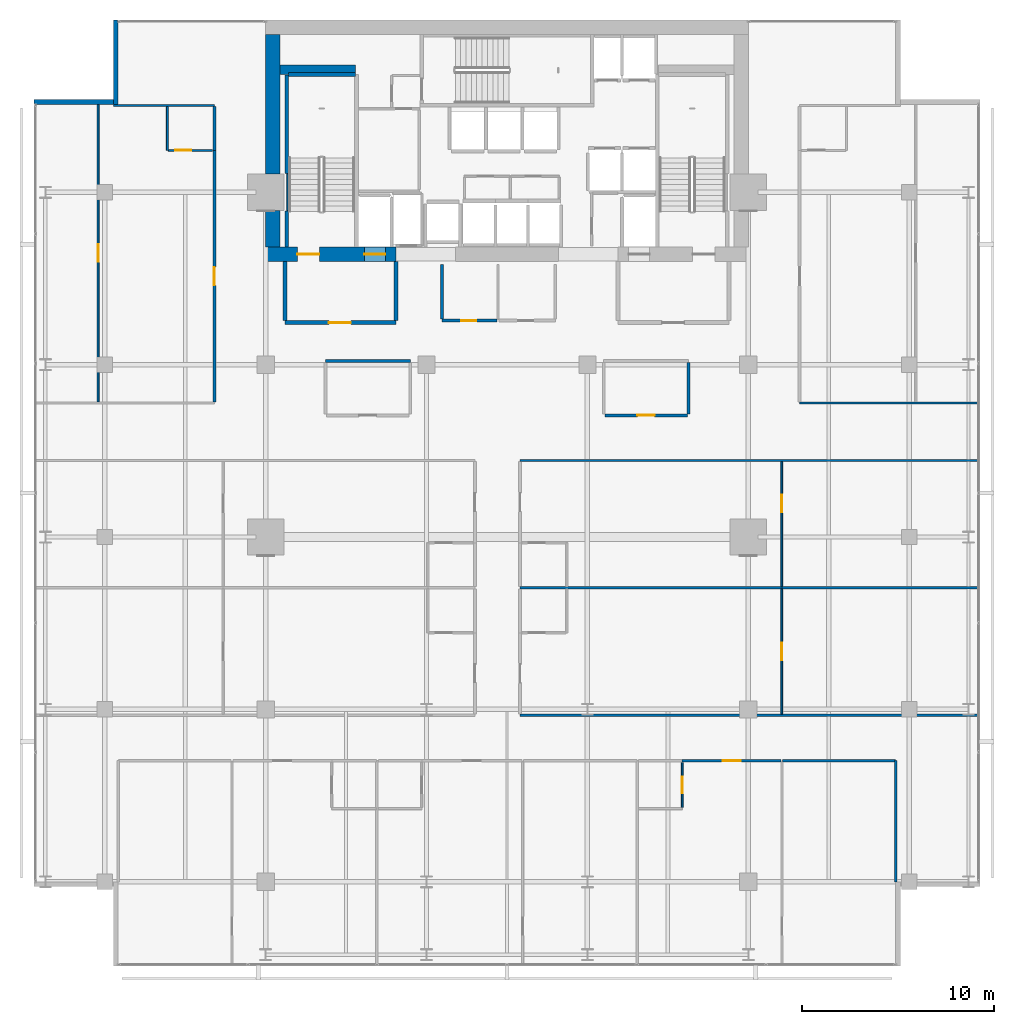
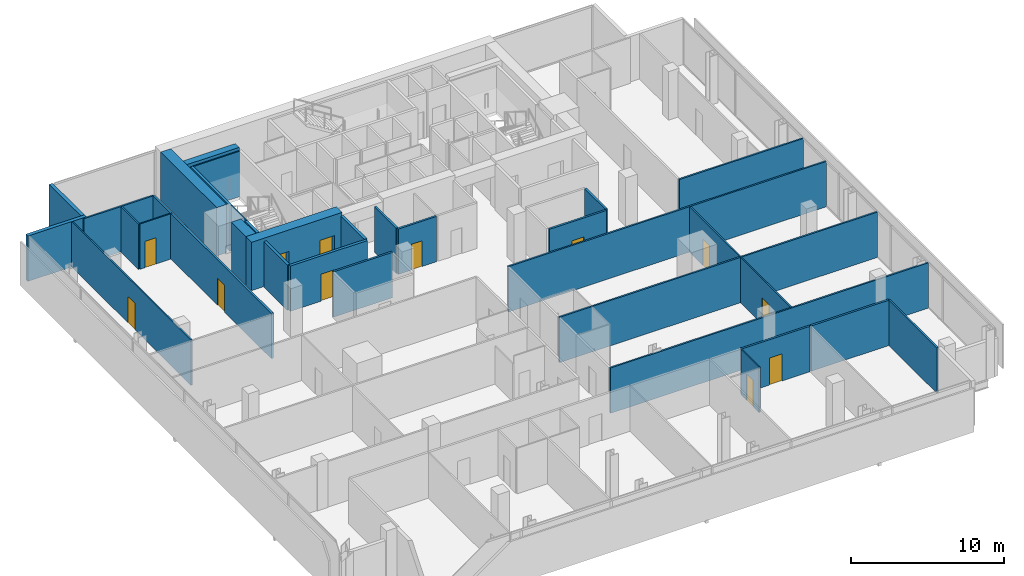
# One storey, part 28 of 33: 34 walls, 12 doors, 12 openings.
"""IFC4 building model written with IfcOpenShell, lengths in metres."""

import ifcopenshell
import ifcopenshell.guid

model = None  # the IFC model being written
_history = None  # IfcOwnerHistory: only IFC2X3 demands one
_inside = {}  # id of a spatial element -> (the spatial element, [elements in it])
_under = {}  # id of a project, library or spatial element -> (it, [spatial elements below it])
_declared = {}  # id of a project -> (the project, [libraries it declares])
_typed = {}  # id of a type object -> (the type object, [elements of that type])
_made_of = {}  # id of a material, layer set ... -> (it, [elements and type objects made of it])


def new_model(schema):
    """Start an empty IFC model of exactly this schema.

    Asked for "IFC4X3", IfcOpenShell would pick the latest addendum, in which some entities
    have other attributes; the version numbers below select the first issue.
    IFC2X3 requires an IfcOwnerHistory on every rooted entity: one is made here for all.
    """
    global model, _history
    if schema == "IFC4X3":
        model = ifcopenshell.file(schema_version=(4, 3, 0, 0))
    else:
        model = ifcopenshell.file(schema=schema)
    _inside.clear()
    _under.clear()
    _declared.clear()
    _typed.clear()
    _made_of.clear()
    _history = None
    if model.schema == "IFC2X3":
        org = make("IfcOrganization", Name="unknown")
        user = make(
            "IfcPersonAndOrganization",
            ThePerson=make("IfcPerson", FamilyName="unknown"),
            TheOrganization=org,
        )
        app = make(
            "IfcApplication",
            ApplicationDeveloper=org,
            Version="unknown",
            ApplicationFullName="unknown",
            ApplicationIdentifier="unknown",
        )
        _history = make(
            "IfcOwnerHistory",
            OwningUser=user,
            OwningApplication=app,
            ChangeAction="ADDED",
            CreationDate=0,
        )
    return model


def make(cls, **values):
    """One entity of the class cls with the attributes given. An attribute that is None is left unset."""
    return model.create_entity(
        cls, **{name: value for name, value in values.items() if value is not None}
    )


def rooted(cls, **values):
    """An entity with a GlobalId (a new one), such as an element, a storey or a relation."""
    return make(cls, GlobalId=ifcopenshell.guid.new(), OwnerHistory=_history, **values)


def si_unit(unit_type, name, prefix=None):
    """IfcSIUnit, for example si_unit("LENGTHUNIT", "METRE", prefix="MILLI")."""
    return make("IfcSIUnit", UnitType=unit_type, Prefix=prefix, Name=name)


def assignment(units):
    """IfcUnitAssignment: the units of a project."""
    return None if units is None else make("IfcUnitAssignment", Units=units)


def point(xyz):
    """IfcCartesianPoint."""
    return None if xyz is None else make("IfcCartesianPoint", Coordinates=xyz)


def direction(xyz):
    """IfcDirection."""
    return None if xyz is None else make("IfcDirection", DirectionRatios=xyz)


def frame(location, z_axis=None, x_axis=None):
    """IfcAxis2Placement3D, a coordinate frame: its origin and axes. An axis left out is left unset."""
    return make(
        "IfcAxis2Placement3D",
        Location=point(location),
        Axis=direction(z_axis),
        RefDirection=direction(x_axis),
    )


def frame_2d(location, x_axis=None):
    """IfcAxis2Placement2D, a coordinate frame in the plane: its origin and x axis."""
    return make(
        "IfcAxis2Placement2D", Location=point(location), RefDirection=direction(x_axis)
    )


def origin():
    """The frame at (0, 0, 0) with its axes left unset."""
    return frame((0.0, 0.0, 0.0))


def place(relative_to, where):
    """IfcLocalPlacement: puts the frame where relative to a parent placement (None: the world)."""
    return make(
        "IfcLocalPlacement", PlacementRelTo=relative_to, RelativePlacement=where
    )


def context(
    kind, dimensions, precision=None, world=None, true_north=None, identifier=None
):
    """IfcGeometricRepresentationContext, for example the 3D "Model" context."""
    return make(
        "IfcGeometricRepresentationContext",
        ContextIdentifier=identifier,
        ContextType=kind,
        CoordinateSpaceDimension=dimensions,
        Precision=precision,
        WorldCoordinateSystem=world,
        TrueNorth=true_north,
    )


def subcontext(parent, identifier, kind, view, scale=None):
    """IfcGeometricRepresentationSubContext, for example "Body" below "Model"."""
    return make(
        "IfcGeometricRepresentationSubContext",
        ContextIdentifier=identifier,
        ContextType=kind,
        ParentContext=parent,
        TargetScale=scale,
        TargetView=view,
    )


def project(units=None, contexts=None):
    """IfcProject with its units and contexts."""
    return rooted(
        "IfcProject",
        Name="project",
        RepresentationContexts=contexts,
        UnitsInContext=assignment(units),
    )


def spatial(cls, under=None, at=None, **own):
    """A site, building, storey or space (cls), placed at a placement, below another one or the project."""
    s = rooted(cls, ObjectPlacement=at, **own)
    if under is not None:
        _under.setdefault(under.id(), (under, []))[1].append(s)
    return s


def profile(cls, at=None, kind="AREA", **sizes):
    """A parametric profile (cls). Its sizes go by their IFC names, for example OverallWidth=200.0."""
    return make(cls, ProfileType=kind, Position=at, **sizes)


def rectangle(**sizes):
    """IfcRectangleProfileDef."""
    return profile("IfcRectangleProfileDef", **sizes)


def extrude(swept, where, along, depth):
    """IfcExtrudedAreaSolid: the profile swept, set in the frame where, extruded along a direction by depth."""
    return make(
        "IfcExtrudedAreaSolid",
        SweptArea=swept,
        Position=where,
        ExtrudedDirection=direction(along),
        Depth=depth,
    )


def shape(context_of_items, identifier, shape_type, items):
    """IfcShapeRepresentation: the items that make up one representation, for example the "Body"."""
    return make(
        "IfcShapeRepresentation",
        ContextOfItems=context_of_items,
        RepresentationIdentifier=identifier,
        RepresentationType=shape_type,
        Items=items,
    )


def material(Name=None, Category=None):
    """IfcMaterial."""
    return make("IfcMaterial", Name=Name, Category=Category)


def layer(
    of_material, thickness, ventilated=None, Name=None, Category=None, Priority=None
):
    """IfcMaterialLayer: one layer of a wall or slab, of a material (None: an air gap)."""
    return make(
        "IfcMaterialLayer",
        Material=of_material,
        LayerThickness=thickness,
        IsVentilated=ventilated,
        Name=Name,
        Category=Category,
        Priority=Priority,
    )


def layer_set(layers, Name=None):
    """IfcMaterialLayerSet."""
    return make("IfcMaterialLayerSet", MaterialLayers=layers, LayerSetName=Name)


def made_of(thing, what):
    """Note that an element or type object is made of a material, layer set ...; save() writes the relation."""
    if what is not None:
        _made_of.setdefault(what.id(), (what, []))[1].append(thing)
    return thing


def type_object(cls, material=None, **own):
    """A type object (cls), such as IfcWallType, which elements share."""
    return made_of(rooted(cls, **own), material)


def element(
    cls,
    number,
    at=None,
    inside=None,
    cuts=None,
    type_object=None,
    material=None,
    context=None,
    identifier="Body",
    shape_type=None,
    held_by="IfcProductDefinitionShape",
    body=None,
    shapes=None,
    **own,
):
    """One element of the class cls, such as IfcWall. Its Tag is "e" and its number.

    at: its placement. inside: the storey or other place that contains it. cuts: it is an
    opening in that element (IfcRelVoidsElement). A single representation is given by context,
    identifier, shape_type and body (its items); several are given by shapes. held_by: the class
    of the entity that holds the representations. save() writes the other relations.
    """
    e = rooted(cls, Tag="e%d" % number, ObjectPlacement=at, **own)
    if body is not None:
        shapes = [shape(context, identifier, shape_type, body)]
    if shapes is not None:
        e.Representation = make(held_by, Representations=shapes)
    if inside is not None:
        _inside.setdefault(inside.id(), (inside, []))[1].append(e)
    if cuts is not None:
        rooted(
            "IfcRelVoidsElement", RelatingBuildingElement=cuts, RelatedOpeningElement=e
        )
    if type_object is not None:
        _typed.setdefault(type_object.id(), (type_object, []))[1].append(e)
    return made_of(e, material)


def fill(opening, filler):
    """IfcRelFillsElement: the door or window that sits in an opening."""
    return rooted(
        "IfcRelFillsElement",
        RelatingOpeningElement=opening,
        RelatedBuildingElement=filler,
    )


def aggregate(whole, parts):
    """IfcRelAggregates: a whole, such as a stair, and the parts it consists of."""
    return rooted("IfcRelAggregates", RelatingObject=whole, RelatedObjects=parts)


def save(model, path):
    """Write the relations noted so far, then the file.

    IfcRelAggregates (storeys below a building ...), IfcRelContainedInSpatialStructure (elements
    in a storey), IfcRelDefinesByType, IfcRelAssociatesMaterial and IfcRelDeclares: one each for
    every whole, place, type object, material and project.
    """
    for whole, parts in _under.values():
        aggregate(whole, parts)
    for where, things in _inside.values():
        rooted(
            "IfcRelContainedInSpatialStructure",
            RelatedElements=things,
            RelatingStructure=where,
        )
    for kind, things in _typed.values():
        rooted("IfcRelDefinesByType", RelatedObjects=things, RelatingType=kind)
    for what, things in _made_of.values():
        rooted("IfcRelAssociatesMaterial", RelatedObjects=things, RelatingMaterial=what)
    for by, libraries in _declared.values():
        rooted("IfcRelDeclares", RelatingContext=by, RelatedDefinitions=libraries)
    model.write(path)


model = new_model("IFC4")

# Units and contexts
model_context = context("Model", 3, precision=1e-05, world=origin(), true_north=direction((0.0, 1.0)))
body_context = subcontext(model_context, "Body", "Model", "MODEL_VIEW")
ifc_project = project(units=[si_unit("LENGTHUNIT", "METRE"), si_unit("AREAUNIT", "SQUARE_METRE"), si_unit("VOLUMEUNIT", "CUBIC_METRE"), si_unit("PLANEANGLEUNIT", "RADIAN"), si_unit("MASSUNIT", "GRAM", prefix="KILO")], contexts=[model_context])

# Site, building, storey
site_placement = place(None, origin())
site = spatial("IfcSite", under=ifc_project, at=site_placement, CompositionType="ELEMENT")
building_placement = place(site_placement, origin())
building = spatial("IfcBuilding", under=site, at=building_placement, Name="Maruvema Waterfront Hotel and Observation Tower", CompositionType="ELEMENT")
storey_placement = place(building_placement, frame((0.0, 0.0, 169.75)))
storey = spatial("IfcBuildingStorey", under=building, at=storey_placement, Name="L41", CompositionType="ELEMENT", Elevation=169.75)

# Wall, opening, door
ifc_material_1 = material(Name="Twin-stud acoustic gypsum drywall", Category="gypsum")
ifc_layer_1 = layer(ifc_material_1, 0.14990234375, Name="Acoustic Corridor and Suite Demising Wall 150 mm")
ifc_layer_set_1 = layer_set([ifc_layer_1], Name="Twin-stud acoustic gypsum drywall")
wall_type_1 = type_object("IfcWallType", Name="Acoustic Corridor and Suite Demising Wall 150 mm", PredefinedType="PARTITIONING", material=ifc_layer_set_1)
wall_1_placement = place(storey_placement, frame((34.39990234375, 38.300048828125, 0.0), z_axis=(0.0, 0.0, 1.0), x_axis=(1.0, 0.0, 0.0)))
wall_1 = element("IfcWall", 1, at=wall_1_placement, inside=storey, type_object=wall_type_1, Name="L41 Core Apron K2A South 022", PredefinedType="PARTITIONING", context=body_context, shape_type="SweptSolid", body=[
    extrude(rectangle(XDim=2.880126953125, YDim=0.14990234375, at=frame_2d((1.43994140625, 0.0))), origin(), (0.0, 0.0, 1.0), 3.610107421875),
])
opening_1_placement = place(wall_1_placement, frame((1.0, 0.0, 0.0)))
opening_1 = element("IfcOpeningElement", 2, at=opening_1_placement, cuts=wall_1, Name="Opening DR-080", PredefinedType="OPENING", context=body_context, shape_type="SweptSolid", body=[
    extrude(rectangle(XDim=0.800048828125, YDim=2.050048828125, at=frame_2d((0.39990234375, 1.02490234375))), frame((0.0, 0.0849609375, 0.0), z_axis=(0.0, -1.0, 0.0), x_axis=(1.0, 0.0, 0.0)), (0.0, 0.0, 1.0), 0.169921875),
])
ifc_material_2 = material(Name="Powder-coated steel access leaf", Category="steel")
door_type_1 = type_object("IfcDoorType", Name="Riser and Service Cupboard Door 800x2050 mm", OperationType="NOTDEFINED", PredefinedType="DOOR", material=ifc_material_2)
door_1_placement = place(opening_1_placement, frame((0.800048828125, 0.0, 0.0), z_axis=(0.0, 0.0, 1.0), x_axis=(-1.0, 0.0, 0.0)))
door_1 = element("IfcDoor", 3, at=door_1_placement, inside=storey, type_object=door_type_1, Name="L41 Core Ice Alcove Door", OperationType="SINGLE_SWING_RIGHT", OverallHeight=2.050048828125, OverallWidth=0.800048828125, PredefinedType="DOOR", context=body_context, shape_type="SweptSolid", body=[
    extrude(rectangle(XDim=0.800048828125, YDim=2.050048828125, at=frame_2d((0.39990234375, 1.02490234375))), frame((0.0, 0.02490234375, 0.0), z_axis=(0.0, -1.0, 0.0), x_axis=(1.0, 0.0, 0.0)), (0.0, 0.0, 1.0), 0.050048828125),
])
fill(opening_1, door_1)

# Walls
wall_2_placement = place(storey_placement, frame((34.39990234375, 38.3798828125, 0.0), z_axis=(0.0, 0.0, 1.0), x_axis=(0.0, 1.0, 0.0)))
element("IfcWall", 4, at=wall_2_placement, inside=storey, type_object=wall_type_1, Name="L41 Core Apron K2 West 024", PredefinedType="PARTITIONING", context=body_context, shape_type="SweptSolid", body=[
    extrude(rectangle(XDim=2.840087890625, YDim=0.14990234375, at=frame_2d((1.419921875, 0.0))), origin(), (0.0, 0.0, 1.0), 3.610107421875),
])
wall_3_placement = place(storey_placement, frame((28.320068359375, 36.199951171875, 0.0), z_axis=(0.0, 0.0, 1.0), x_axis=(1.0, 0.0, 0.0)))
element("IfcWall", 5, at=wall_3_placement, inside=storey, type_object=wall_type_1, Name="L41 L41-M1 Back Wall 027", PredefinedType="PARTITIONING", context=body_context, shape_type="SweptSolid", body=[
    extrude(rectangle(XDim=4.429931640625, YDim=0.14990234375, at=frame_2d((2.21484375, 0.0))), origin(), (0.0, 0.0, 1.0), 3.610107421875),
])
wall_4_placement = place(storey_placement, frame((47.280029296875, 33.429931640625, 0.0), z_axis=(0.0, 0.0, 1.0), x_axis=(0.0, 1.0, 0.0)))
element("IfcWall", 6, at=wall_4_placement, inside=storey, type_object=wall_type_1, Name="L41 L41-M2 East Wall 033", PredefinedType="PARTITIONING", context=body_context, shape_type="SweptSolid", body=[
    extrude(rectangle(XDim=2.690185546875, YDim=0.14990234375, at=frame_2d((1.34521484375, 0.0))), origin(), (0.0, 0.0, 1.0), 3.610107421875),
])

# Wall, opening, door
wall_5_placement = place(storey_placement, frame((42.909912109375, 33.35009765625, 0.0), z_axis=(0.0, 0.0, 1.0), x_axis=(1.0, 0.0, 0.0)))
wall_5 = element("IfcWall", 7, at=wall_5_placement, inside=storey, type_object=wall_type_1, Name="L41 L41-M2 Front 1 034", PredefinedType="PARTITIONING", context=body_context, shape_type="SweptSolid", body=[
    extrude(rectangle(XDim=4.31005859375, YDim=0.14990234375, at=frame_2d((2.155029296875, 0.0))), origin(), (0.0, 0.0, 1.0), 3.610107421875),
])
opening_2_placement = place(wall_5_placement, frame((1.705078125, 0.0, 0.0)))
opening_2 = element("IfcOpeningElement", 8, at=opening_2_placement, cuts=wall_5, Name="Opening DR-090", PredefinedType="OPENING", context=body_context, shape_type="SweptSolid", body=[
    extrude(rectangle(XDim=0.89990234375, YDim=2.10009765625, at=frame_2d((0.449951171875, 1.050048828125))), frame((0.0, 0.0849609375, 0.0), z_axis=(0.0, -1.0, 0.0), x_axis=(1.0, 0.0, 0.0)), (0.0, 0.0, 1.0), 0.169921875),
])
ifc_material_3 = material(Name="Solid-core lacquered timber leaf", Category="wood")
door_type_2 = type_object("IfcDoorType", Name="Accessible Toilet and Room Door 900x2100 mm", OperationType="NOTDEFINED", PredefinedType="DOOR", material=ifc_material_3)
door_2_placement = place(opening_2_placement, frame((0.89990234375, 0.0, 0.0), z_axis=(0.0, 0.0, 1.0), x_axis=(-1.0, 0.0, 0.0)))
door_2 = element("IfcDoor", 9, at=door_2_placement, inside=storey, type_object=door_type_2, Name="L41 Chef Kitchen 3 Door", OperationType="SINGLE_SWING_LEFT", OverallHeight=2.10009765625, OverallWidth=0.89990234375, PredefinedType="DOOR", context=body_context, shape_type="SweptSolid", body=[
    extrude(rectangle(XDim=0.89990234375, YDim=2.10009765625, at=frame_2d((0.449951171875, 1.050048828125))), frame((0.0, 0.02490234375, 0.0), z_axis=(0.0, -1.0, 0.0), x_axis=(1.0, 0.0, 0.0)), (0.0, 0.0, 1.0), 0.050048828125),
])
fill(opening_2, door_2)

wall_6_placement = place(storey_placement, frame((46.949951171875, 15.320068359375, 0.0), z_axis=(0.0, 0.0, 1.0), x_axis=(1.0, 0.0, 0.0)))
wall_6 = element("IfcWall", 10, at=wall_6_placement, inside=storey, type_object=wall_type_1, Name="L41 Unit L41-S3 Corridor Wall 054", PredefinedType="PARTITIONING", context=body_context, shape_type="SweptSolid", body=[
    extrude(rectangle(XDim=5.170166015625, YDim=0.14990234375, at=frame_2d((2.5849609375, 0.0))), origin(), (0.0, 0.0, 1.0), 3.610107421875),
])
opening_3_placement = place(wall_6_placement, frame((2.110107421875, 0.0, 0.0)))
opening_3 = element("IfcOpeningElement", 11, at=opening_3_placement, cuts=wall_6, Name="Opening DR-095", PredefinedType="OPENING", context=body_context, shape_type="SweptSolid", body=[
    extrude(rectangle(XDim=0.949951171875, YDim=2.14990234375, at=frame_2d((0.47509765625, 1.074951171875))), frame((0.0, 0.0849609375, 0.0), z_axis=(0.0, -1.0, 0.0), x_axis=(1.0, 0.0, 0.0)), (0.0, 0.0, 1.0), 0.169921875),
])
ifc_material_4 = material(Name="Acoustic solid-core hardwood timber leaf", Category="wood")
door_type_3 = type_object("IfcDoorType", Name="Guestroom Entrance Fire Door 950x2150 mm", OperationType="NOTDEFINED", PredefinedType="DOOR", material=ifc_material_4)
door_3_placement = place(opening_3_placement, frame((0.949951171875, 0.0, 0.0), z_axis=(0.0, 0.0, 1.0), x_axis=(-1.0, 0.0, 0.0)))
door_3 = element("IfcDoor", 12, at=door_3_placement, inside=storey, type_object=door_type_3, Name="L41 Unit L41-S3 Entrance Door", OperationType="SINGLE_SWING_LEFT", OverallHeight=2.14990234375, OverallWidth=0.949951171875, PredefinedType="DOOR", context=body_context, shape_type="SweptSolid", body=[
    extrude(rectangle(XDim=0.949951171875, YDim=2.14990234375, at=frame_2d((0.47509765625, 1.074951171875))), frame((0.0, 0.02490234375, 0.0), z_axis=(0.0, -1.0, 0.0), x_axis=(1.0, 0.0, 0.0)), (0.0, 0.0, 1.0), 0.050048828125),
])
fill(opening_3, door_3)

# Wall
wall_7_placement = place(storey_placement, frame((52.199951171875, 15.320068359375, 0.0), z_axis=(0.0, 0.0, 1.0), x_axis=(1.0, 0.0, 0.0)))
element("IfcWall", 13, at=wall_7_placement, inside=storey, type_object=wall_type_1, Name="L41 Bedroom L41-S3 Back Wall 055", PredefinedType="PARTITIONING", context=body_context, shape_type="SweptSolid", body=[
    extrude(rectangle(XDim=5.880126953125, YDim=0.14990234375, at=frame_2d((2.93994140625, 0.0))), origin(), (0.0, 0.0, 1.0), 3.610107421875),
])

# Wall, opening, door
wall_8_placement = place(storey_placement, frame((22.52001953125, 34.06005859375, 0.0), z_axis=(0.0, 0.0, 1.0), x_axis=(0.0, 1.0, 0.0)))
wall_8 = element("IfcWall", 14, at=wall_8_placement, inside=storey, type_object=wall_type_1, Name="L41 Room L41-NW1 Corridor Wall 087", PredefinedType="PARTITIONING", context=body_context, shape_type="SweptSolid", body=[
    extrude(rectangle(XDim=13.12744140625, YDim=0.14990234375, at=frame_2d((6.563720703125, 0.0))), origin(), (0.0, 0.0, 1.0), 3.610107421875),
])
opening_4_placement = place(wall_8_placement, frame((6.088623046875, 0.0, 0.0)))
opening_4 = element("IfcOpeningElement", 15, at=opening_4_placement, cuts=wall_8, Name="Opening DR-095", PredefinedType="OPENING", context=body_context, shape_type="SweptSolid", body=[
    extrude(rectangle(XDim=0.949951171875, YDim=2.14990234375, at=frame_2d((0.47509765625, 1.074951171875))), frame((0.0, 0.0849609375, 0.0), z_axis=(0.0, -1.0, 0.0), x_axis=(1.0, 0.0, 0.0)), (0.0, 0.0, 1.0), 0.169921875),
])
door_4_placement = place(opening_4_placement, origin())
door_4 = element("IfcDoor", 16, at=door_4_placement, inside=storey, type_object=door_type_3, Name="L41 Room L41-NW1 Entrance Door", OperationType="SINGLE_SWING_RIGHT", OverallHeight=2.14990234375, OverallWidth=0.949951171875, PredefinedType="DOOR", context=body_context, shape_type="SweptSolid", body=[
    extrude(rectangle(XDim=0.949951171875, YDim=2.14990234375, at=frame_2d((0.47509765625, 1.074951171875))), frame((0.0, 0.02490234375, 0.0), z_axis=(0.0, -1.0, 0.0), x_axis=(1.0, 0.0, 0.0)), (0.0, 0.0, 1.0), 0.050048828125),
])
fill(opening_4, door_4)

# Walls
wall_9_placement = place(storey_placement, frame((22.52001953125, 47.1875, 0.0), z_axis=(0.0, 0.0, 1.0), x_axis=(0.0, 1.0, 0.0)))
element("IfcWall", 17, at=wall_9_placement, inside=storey, type_object=wall_type_1, Name="L41 Bath L41-NW1 Wall 088", PredefinedType="PARTITIONING", context=body_context, shape_type="SweptSolid", body=[
    extrude(rectangle(XDim=2.2900390625, YDim=0.14990234375, at=frame_2d((1.14501953125, 0.0))), origin(), (0.0, 0.0, 1.0), 3.610107421875),
])
ifc_material_5 = material(Name="Precast concrete C45/55", Category="concrete")
ifc_layer_2 = layer(ifc_material_5, 0.199951171875, Name="Core Shaft and Stairwell Enclosure Wall 200 mm")
ifc_layer_set_2 = layer_set([ifc_layer_2], Name="Precast concrete C45/55")
wall_type_2 = type_object("IfcWallType", Name="Core Shaft and Stairwell Enclosure Wall 200 mm", PredefinedType="SOLIDWALL", material=ifc_layer_set_2)
wall_10_placement = place(storey_placement, frame((26.300048828125, 42.14990234375, 0.0), z_axis=(0.0, 0.0, 1.0), x_axis=(0.0, 1.0, 0.0)))
element("IfcWall", 18, at=wall_10_placement, inside=storey, type_object=wall_type_2, Name="L41 Stairwell ST-01 Shaft Lining Wall", PredefinedType="SOLIDWALL", context=body_context, shape_type="SweptSolid", body=[
    extrude(rectangle(XDim=1.8701171875, YDim=0.199951171875, at=frame_2d((0.93505859375, 0.0))), origin(), (0.0, 0.0, 1.0), 3.610107421875),
])
wall_11_placement = place(storey_placement, frame((26.300048828125, 45.97998046875, 0.0), z_axis=(0.0, 0.0, 1.0), x_axis=(0.0, 1.0, 0.0)))
element("IfcWall", 19, at=wall_11_placement, inside=storey, type_object=wall_type_2, Name="L41 Stairwell ST-01 Shaft Lining Wall", PredefinedType="SOLIDWALL", context=body_context, shape_type="SweptSolid", body=[
    extrude(rectangle(XDim=5.14013671875, YDim=0.199951171875, at=frame_2d((2.570068359375, 0.0))), origin(), (0.0, 0.0, 1.0), 3.610107421875),
])
wall_12_placement = place(storey_placement, frame((26.3798828125, 51.14990234375, 0.0), z_axis=(0.0, 0.0, 1.0), x_axis=(1.0, 0.0, 0.0)))
element("IfcWall", 20, at=wall_12_placement, inside=storey, type_object=wall_type_2, Name="L41 Stairwell ST-01 Shaft Lining Wall", PredefinedType="SOLIDWALL", context=body_context, shape_type="SweptSolid", body=[
    extrude(rectangle(XDim=3.5, YDim=0.199951171875, at=frame_2d((1.75, 0.0))), origin(), (0.0, 0.0, 1.0), 3.610107421875),
])
ifc_material_6 = material(Name="Concrete C70/85", Category="concrete")
ifc_layer_3 = layer(ifc_material_6, 0.5, Name="Core Shear Wall 500 mm")
ifc_layer_set_3 = layer_set([ifc_layer_3], Name="Concrete C70/85")
wall_type_3 = type_object("IfcWallType", Name="Core Shear Wall 500 mm", PredefinedType="SHEAR", material=ifc_layer_set_3)
wall_13_placement = place(storey_placement, frame((25.949951171875, 51.39990234375, 0.0), z_axis=(0.0, 0.0, 1.0), x_axis=(1.0, 0.0, 0.0)))
element("IfcWall", 21, at=wall_13_placement, inside=storey, type_object=wall_type_3, Name="L41 Internal Core Shear Wall NW 500 mm", PredefinedType="SHEAR", context=body_context, shape_type="SweptSolid", body=[
    extrude(rectangle(XDim=3.949951171875, YDim=0.5, at=frame_2d((1.97509765625, 0.0))), origin(), (0.0, 0.0, 1.0), 3.85009765625),
])

# Wall, openings, doors
ifc_material_7 = material(Name="Concrete C70/85", Category="concrete")
ifc_layer_4 = layer(ifc_material_7, 0.75, Name="Core Shear Wall 750 mm")
ifc_layer_set_4 = layer_set([ifc_layer_4], Name="Concrete C70/85")
wall_type_4 = type_object("IfcWallType", Name="Core Shear Wall 750 mm", PredefinedType="SHEAR", material=ifc_layer_set_4)
wall_14_placement = place(storey_placement, frame((25.199951171875, 41.77490234375, 0.0), z_axis=(0.0, 0.0, 1.0), x_axis=(1.0, 0.0, 0.0)))
wall_14 = element("IfcWall", 22, at=wall_14_placement, inside=storey, type_object=wall_type_4, Name="L41 South-West Core Shear Wall", PredefinedType="SHEAR", context=body_context, shape_type="SweptSolid", body=[
    extrude(rectangle(XDim=6.800048828125, YDim=0.75, at=frame_2d((3.39990234375, 0.0))), origin(), (0.0, 0.0, 1.0), 3.85009765625),
])
opening_5_placement = place(wall_14_placement, frame((1.64990234375, 0.0, 0.0)))
opening_5 = element("IfcOpeningElement", 23, at=opening_5_placement, cuts=wall_14, Name="Opening SD-01", PredefinedType="OPENING", context=body_context, shape_type="SweptSolid", body=[
    extrude(rectangle(XDim=1.14990234375, YDim=2.14990234375, at=frame_2d((0.574951171875, 1.074951171875))), frame((0.0, 0.385009765625, 0.0), z_axis=(0.0, -1.0, 0.0), x_axis=(1.0, 0.0, 0.0)), (0.0, 0.0, 1.0), 0.77001953125),
])
opening_6_placement = place(wall_14_placement, frame((5.14990234375, 0.0, 0.0)))
opening_6 = element("IfcOpeningElement", 24, at=opening_6_placement, cuts=wall_14, Name="Opening LD-03", PredefinedType="OPENING", context=body_context, shape_type="SweptSolid", body=[
    extrude(rectangle(XDim=1.10009765625, YDim=2.199951171875, at=frame_2d((0.550048828125, 1.10009765625))), frame((0.0, 0.385009765625, 0.0), z_axis=(0.0, -1.0, 0.0), x_axis=(1.0, 0.0, 0.0)), (0.0, 0.0, 1.0), 0.77001953125),
])
ifc_material_8 = material(Name="Fire-rated galvanised steel leaf", Category="steel")
door_type_4 = type_object("IfcDoorType", Name="Exit Stair Fire Door 1150x2150 mm", OperationType="NOTDEFINED", PredefinedType="DOOR", material=ifc_material_8)
door_5_placement = place(opening_5_placement, origin())
door_5 = element("IfcDoor", 25, at=door_5_placement, inside=storey, type_object=door_type_4, Name="L41 Exit Stair ST-01 Fire Door", OperationType="SINGLE_SWING_LEFT", OverallHeight=2.14990234375, OverallWidth=1.14990234375, PredefinedType="DOOR", context=body_context, shape_type="SweptSolid", body=[
    extrude(rectangle(XDim=1.14990234375, YDim=2.14990234375, at=frame_2d((0.574951171875, 1.074951171875))), frame((0.0, 0.02490234375, 0.0), z_axis=(0.0, -1.0, 0.0), x_axis=(1.0, 0.0, 0.0)), (0.0, 0.0, 1.0), 0.050048828125),
])
fill(opening_5, door_5)
ifc_material_9 = material(Name="Brushed stainless steel Grade 316", Category="steel")
door_type_5 = type_object("IfcDoorType", Name="Firefighting Lift Sliding Landing Door 1100x2200 mm", OperationType="SLIDING_TO_LEFT", PredefinedType="DOOR", material=ifc_material_9)
door_6_placement = place(opening_6_placement, frame((1.10009765625, 0.0, 0.0), z_axis=(0.0, 0.0, 1.0), x_axis=(-1.0, 0.0, 0.0)))
door_6 = element("IfcDoor", 26, at=door_6_placement, inside=storey, type_object=door_type_5, Name="L41 Firefighting Lift FL-01 Landing Door", OperationType="SLIDING_TO_LEFT", OverallHeight=2.199951171875, OverallWidth=1.10009765625, PredefinedType="DOOR", context=body_context, shape_type="SweptSolid", body=[
    extrude(rectangle(XDim=1.10009765625, YDim=2.199951171875, at=frame_2d((0.550048828125, 1.10009765625))), frame((0.0, 0.02490234375, 0.0), z_axis=(0.0, -1.0, 0.0), x_axis=(1.0, 0.0, 0.0)), (0.0, 0.0, 1.0), 0.050048828125),
])
fill(opening_6, door_6)

# Walls
wall_15_placement = place(storey_placement, frame((25.574951171875, 42.14990234375, 0.0), z_axis=(0.0, 0.0, 1.0), x_axis=(0.0, 1.0, 0.0)))
element("IfcWall", 27, at=wall_15_placement, inside=storey, type_object=wall_type_4, Name="L41 West-South Core Shear Wall", PredefinedType="SHEAR", context=body_context, shape_type="SweptSolid", body=[
    extrude(rectangle(XDim=1.900146484375, YDim=0.75, at=frame_2d((0.9501953125, 0.0))), origin(), (0.0, 0.0, 1.0), 3.85009765625),
])
wall_16_placement = place(storey_placement, frame((25.574951171875, 45.949951171875, 0.0), z_axis=(0.0, 0.0, 1.0), x_axis=(0.0, 1.0, 0.0)))
element("IfcWall", 28, at=wall_16_placement, inside=storey, type_object=wall_type_4, Name="L41 West-North Core Shear Wall", PredefinedType="SHEAR", context=body_context, shape_type="SweptSolid", body=[
    extrude(rectangle(XDim=7.300048828125, YDim=0.75, at=frame_2d((3.64990234375, 0.0))), origin(), (0.0, 0.0, 1.0), 3.85009765625),
])

# Wall, opening, door
ifc_material_10 = material(Name="Moisture-resistant cement-board drywall", Category="gypsum")
ifc_layer_5 = layer(ifc_material_10, 0.10009765625, Name="En-Suite Moisture-Resistant Partition 100 mm")
ifc_layer_set_5 = layer_set([ifc_layer_5], Name="Moisture-resistant cement-board drywall")
wall_type_5 = type_object("IfcWallType", Name="En-Suite Moisture-Resistant Partition 100 mm", PredefinedType="PARTITIONING", material=ifc_layer_set_5)
wall_17_placement = place(storey_placement, frame((46.949951171875, 12.8798828125, 0.0), z_axis=(0.0, 0.0, 1.0), x_axis=(0.0, 1.0, 0.0)))
wall_17 = element("IfcWall", 29, at=wall_17_placement, inside=storey, type_object=wall_type_5, Name="L41 En-Suite L41-S3 East 053", PredefinedType="PARTITIONING", context=body_context, shape_type="SweptSolid", body=[
    extrude(rectangle(XDim=2.340087890625, YDim=0.10009765625, at=frame_2d((1.169921875, 0.0))), origin(), (0.0, 0.0, 1.0), 3.610107421875),
])
opening_7_placement = place(wall_17_placement, frame((0.7451171875, 0.0, 0.0)))
opening_7 = element("IfcOpeningElement", 30, at=opening_7_placement, cuts=wall_17, Name="Opening DR-085", PredefinedType="OPENING", context=body_context, shape_type="SweptSolid", body=[
    extrude(rectangle(XDim=0.85009765625, YDim=2.10009765625, at=frame_2d((0.425048828125, 1.050048828125))), frame((0.0, 0.06005859375, 0.0), z_axis=(0.0, -1.0, 0.0), x_axis=(1.0, 0.0, 0.0)), (0.0, 0.0, 1.0), 0.1201171875),
])
ifc_material_11 = material(Name="Moisture-resistant solid timber leaf", Category="wood")
door_type_6 = type_object("IfcDoorType", Name="En-Suite Bathroom Door 850x2100 mm", OperationType="NOTDEFINED", PredefinedType="DOOR", material=ifc_material_11)
door_7_placement = place(opening_7_placement, frame((0.85009765625, 0.0, 0.0), z_axis=(0.0, 0.0, 1.0), x_axis=(-1.0, 0.0, 0.0)))
door_7 = element("IfcDoor", 31, at=door_7_placement, inside=storey, type_object=door_type_6, Name="L41 En-Suite L41-S3 Door", OperationType="SINGLE_SWING_RIGHT", OverallHeight=2.10009765625, OverallWidth=0.85009765625, PredefinedType="DOOR", context=body_context, shape_type="SweptSolid", body=[
    extrude(rectangle(XDim=0.85009765625, YDim=2.10009765625, at=frame_2d((0.425048828125, 1.050048828125))), frame((0.0, 0.02490234375, 0.0), z_axis=(0.0, -1.0, 0.0), x_axis=(1.0, 0.0, 0.0)), (0.0, 0.0, 1.0), 0.050048828125),
])
fill(opening_7, door_7)

wall_18_placement = place(storey_placement, frame((52.146484375, 17.760009765625, 0.0), z_axis=(0.0, 0.0, 1.0), x_axis=(0.0, 1.0, 0.0)))
wall_18 = element("IfcWall", 32, at=wall_18_placement, inside=storey, type_object=wall_type_5, Name="L41 Suite L41-E1 Split 070", PredefinedType="PARTITIONING", context=body_context, shape_type="SweptSolid", body=[
    extrude(rectangle(XDim=6.530029296875, YDim=0.10009765625, at=frame_2d((3.26513671875, 0.0))), origin(), (0.0, 0.0, 1.0), 3.610107421875),
])
opening_8_placement = place(wall_18_placement, frame((2.81494140625, 0.0, 0.0)))
opening_8 = element("IfcOpeningElement", 33, at=opening_8_placement, cuts=wall_18, Name="Opening DR-090", PredefinedType="OPENING", context=body_context, shape_type="SweptSolid", body=[
    extrude(rectangle(XDim=0.89990234375, YDim=2.10009765625, at=frame_2d((0.449951171875, 1.050048828125))), frame((0.0, 0.06005859375, 0.0), z_axis=(0.0, -1.0, 0.0), x_axis=(1.0, 0.0, 0.0)), (0.0, 0.0, 1.0), 0.1201171875),
])
door_8_placement = place(opening_8_placement, frame((0.89990234375, 0.0, 0.0), z_axis=(0.0, 0.0, 1.0), x_axis=(-1.0, 0.0, 0.0)))
door_8 = element("IfcDoor", 34, at=door_8_placement, inside=storey, type_object=door_type_2, Name="L41 Suite L41-E1 Bedroom Door", OperationType="SINGLE_SWING_RIGHT", OverallHeight=2.10009765625, OverallWidth=0.89990234375, PredefinedType="DOOR", context=body_context, shape_type="SweptSolid", body=[
    extrude(rectangle(XDim=0.89990234375, YDim=2.10009765625, at=frame_2d((0.449951171875, 1.050048828125))), frame((0.0, 0.02490234375, 0.0), z_axis=(0.0, -1.0, 0.0), x_axis=(1.0, 0.0, 0.0)), (0.0, 0.0, 1.0), 0.050048828125),
])
fill(opening_8, door_8)

wall_19_placement = place(storey_placement, frame((52.146484375, 24.409912109375, 0.0), z_axis=(0.0, 0.0, 1.0), x_axis=(0.0, 1.0, 0.0)))
wall_19 = element("IfcWall", 35, at=wall_19_placement, inside=storey, type_object=wall_type_5, Name="L41 Suite L41-E2 Split 082", PredefinedType="PARTITIONING", context=body_context, shape_type="SweptSolid", body=[
    extrude(rectangle(XDim=6.530029296875, YDim=0.10009765625, at=frame_2d((3.26513671875, 0.0))), origin(), (0.0, 0.0, 1.0), 3.610107421875),
])
opening_9_placement = place(wall_19_placement, frame((3.89501953125, 0.0, 0.0)))
opening_9 = element("IfcOpeningElement", 36, at=opening_9_placement, cuts=wall_19, Name="Opening DR-090", PredefinedType="OPENING", context=body_context, shape_type="SweptSolid", body=[
    extrude(rectangle(XDim=0.89990234375, YDim=2.10009765625, at=frame_2d((0.449951171875, 1.050048828125))), frame((0.0, 0.06005859375, 0.0), z_axis=(0.0, -1.0, 0.0), x_axis=(1.0, 0.0, 0.0)), (0.0, 0.0, 1.0), 0.1201171875),
])
door_9_placement = place(opening_9_placement, frame((0.89990234375, 0.0, 0.0), z_axis=(0.0, 0.0, 1.0), x_axis=(-1.0, 0.0, 0.0)))
door_9 = element("IfcDoor", 37, at=door_9_placement, inside=storey, type_object=door_type_2, Name="L41 Suite L41-E2 Bedroom Door", OperationType="SINGLE_SWING_RIGHT", OverallHeight=2.10009765625, OverallWidth=0.89990234375, PredefinedType="DOOR", context=body_context, shape_type="SweptSolid", body=[
    extrude(rectangle(XDim=0.89990234375, YDim=2.10009765625, at=frame_2d((0.449951171875, 1.050048828125))), frame((0.0, 0.02490234375, 0.0), z_axis=(0.0, -1.0, 0.0), x_axis=(1.0, 0.0, 0.0)), (0.0, 0.0, 1.0), 0.050048828125),
])
fill(opening_9, door_9)

# Wall
wall_20_placement = place(storey_placement, frame((20.070068359375, 47.1875, 0.0), z_axis=(0.0, 0.0, 1.0), x_axis=(0.0, 1.0, 0.0)))
element("IfcWall", 38, at=wall_20_placement, inside=storey, type_object=wall_type_5, Name="L41 En-Suite L41-NW1 W 089", PredefinedType="PARTITIONING", context=body_context, shape_type="SweptSolid", body=[
    extrude(rectangle(XDim=2.2900390625, YDim=0.10009765625, at=frame_2d((1.14501953125, 0.0))), origin(), (0.0, 0.0, 1.0), 3.610107421875),
])

# Wall, opening, door
wall_21_placement = place(storey_placement, frame((20.1201171875, 47.1875, 0.0), z_axis=(0.0, 0.0, 1.0), x_axis=(1.0, 0.0, 0.0)))
wall_21 = element("IfcWall", 39, at=wall_21_placement, inside=storey, type_object=wall_type_5, Name="L41 En-Suite L41-NW1 S 090", PredefinedType="PARTITIONING", context=body_context, shape_type="SweptSolid", body=[
    extrude(rectangle(XDim=2.2998046875, YDim=0.10009765625, at=frame_2d((1.14990234375, 0.0))), origin(), (0.0, 0.0, 1.0), 3.610107421875),
])
opening_10_placement = place(wall_21_placement, frame((0.35009765625, 0.0, 0.0)))
opening_10 = element("IfcOpeningElement", 40, at=opening_10_placement, cuts=wall_21, Name="Opening DR-085", PredefinedType="OPENING", context=body_context, shape_type="SweptSolid", body=[
    extrude(rectangle(XDim=0.85009765625, YDim=2.10009765625, at=frame_2d((0.425048828125, 1.050048828125))), frame((0.0, 0.06005859375, 0.0), z_axis=(0.0, -1.0, 0.0), x_axis=(1.0, 0.0, 0.0)), (0.0, 0.0, 1.0), 0.1201171875),
])
door_10_placement = place(opening_10_placement, frame((0.85009765625, 0.0, 0.0), z_axis=(0.0, 0.0, 1.0), x_axis=(-1.0, 0.0, 0.0)))
door_10 = element("IfcDoor", 41, at=door_10_placement, inside=storey, type_object=door_type_6, Name="L41 En-Suite L41-NW1 Door", OperationType="SINGLE_SWING_LEFT", OverallHeight=2.10009765625, OverallWidth=0.85009765625, PredefinedType="DOOR", context=body_context, shape_type="SweptSolid", body=[
    extrude(rectangle(XDim=0.85009765625, YDim=2.10009765625, at=frame_2d((0.425048828125, 1.050048828125))), frame((0.0, 0.02490234375, 0.0), z_axis=(0.0, -1.0, 0.0), x_axis=(1.0, 0.0, 0.0)), (0.0, 0.0, 1.0), 0.050048828125),
])
fill(opening_10, door_10)

wall_22_placement = place(storey_placement, frame((16.445556640625, 34.06005859375, 0.0), z_axis=(0.0, 0.0, 1.0), x_axis=(0.0, 1.0, 0.0)))
wall_22 = element("IfcWall", 42, at=wall_22_placement, inside=storey, type_object=wall_type_5, Name="L41 Suite L41-NW1 Split 091", PredefinedType="PARTITIONING", context=body_context, shape_type="SweptSolid", body=[
    extrude(rectangle(XDim=15.537353515625, YDim=0.10009765625, at=frame_2d((7.7685546875, 0.0))), origin(), (0.0, 0.0, 1.0), 3.610107421875),
])
opening_11_placement = place(wall_22_placement, frame((7.318603515625, 0.0, 0.0)))
opening_11 = element("IfcOpeningElement", 43, at=opening_11_placement, cuts=wall_22, Name="Opening DR-090", PredefinedType="OPENING", context=body_context, shape_type="SweptSolid", body=[
    extrude(rectangle(XDim=0.89990234375, YDim=2.10009765625, at=frame_2d((0.449951171875, 1.050048828125))), frame((0.0, 0.06005859375, 0.0), z_axis=(0.0, -1.0, 0.0), x_axis=(1.0, 0.0, 0.0)), (0.0, 0.0, 1.0), 0.1201171875),
])
door_11_placement = place(opening_11_placement, origin())
door_11 = element("IfcDoor", 44, at=door_11_placement, inside=storey, type_object=door_type_2, Name="L41 Suite L41-NW1 Bedroom Door", OperationType="SINGLE_SWING_LEFT", OverallHeight=2.10009765625, OverallWidth=0.89990234375, PredefinedType="DOOR", context=body_context, shape_type="SweptSolid", body=[
    extrude(rectangle(XDim=0.89990234375, YDim=2.10009765625, at=frame_2d((0.449951171875, 1.050048828125))), frame((0.0, 0.02490234375, 0.0), z_axis=(0.0, -1.0, 0.0), x_axis=(1.0, 0.0, 0.0)), (0.0, 0.0, 1.0), 0.050048828125),
])
fill(opening_11, door_11)

# Walls
ifc_material_12 = material(Name="Precast concrete C45/55 with honed Pernambuco granite facing", Category="masonry")
ifc_layer_6 = layer(ifc_material_12, 0.260009765625, Name="Exterior Granite Clad Spandrel and Pier Wall 260 mm")
ifc_layer_set_6 = layer_set([ifc_layer_6], Name="Precast concrete C45/55 with honed Pernambuco granite facing")
wall_type_6 = type_object("IfcWallType", Name="Exterior Granite Clad Spandrel and Pier Wall 260 mm", PredefinedType="SOLIDWALL", material=ifc_layer_set_6)
for number, where, z_axis, x_axis, name in (
    (45, (17.3701171875, 49.60009765625, 0.0), (0.0, 0.0, 1.0), (0.0, 1.0, 0.0), "L41 Corner Notch Granite Pier Wall NW1"),
    (46, (13.10009765625, 49.72998046875, 0.0), (0.0, 0.0, 1.0), (1.0, 0.0, 0.0), "L41 Corner Notch Granite Pier Wall NW2"),
):
    element("IfcWall", number, at=place(storey_placement, frame(where, z_axis=z_axis, x_axis=x_axis)), inside=storey, type_object=wall_type_6, Name=name, PredefinedType="SOLIDWALL", context=body_context, shape_type="SweptSolid", body=[
        extrude(rectangle(XDim=4.39990234375, YDim=0.260009765625, at=frame_2d((2.199951171875, 0.0))), origin(), (0.0, 0.0, 1.0), 3.610107421875),
    ])

# Wall, opening, door
ifc_material_13 = material(Name="Autoclaved cellular concrete blockwork", Category="masonry")
ifc_layer_7 = layer(ifc_material_13, 0.199951171875, Name="Fire Compartment Masonry Wall 200 mm")
ifc_layer_set_7 = layer_set([ifc_layer_7], Name="Autoclaved cellular concrete blockwork")
wall_type_7 = type_object("IfcWallType", Name="Fire Compartment Masonry Wall 200 mm", PredefinedType="PARTITIONING", material=ifc_layer_set_7)
wall_23_placement = place(storey_placement, frame((26.199951171875, 38.199951171875, 0.0), z_axis=(0.0, 0.0, 1.0), x_axis=(1.0, 0.0, 0.0)))
wall_23 = element("IfcWall", 47, at=wall_23_placement, inside=storey, type_object=wall_type_7, Name="L41 FFL West South Wall 001", PredefinedType="PARTITIONING", context=body_context, shape_type="SweptSolid", body=[
    extrude(rectangle(XDim=5.800048828125, YDim=0.199951171875, at=frame_2d((2.89990234375, 0.0))), origin(), (0.0, 0.0, 1.0), 3.610107421875),
])
opening_12_placement = place(wall_23_placement, frame((2.300048828125, 0.0, 0.0)))
opening_12 = element("IfcOpeningElement", 48, at=opening_12_placement, cuts=wall_23, Name="Opening FD-115", PredefinedType="OPENING", context=body_context, shape_type="SweptSolid", body=[
    extrude(rectangle(XDim=1.14990234375, YDim=2.14990234375, at=frame_2d((0.574951171875, 1.074951171875))), frame((0.0, 0.10986328125, 0.0), z_axis=(0.0, -1.0, 0.0), x_axis=(1.0, 0.0, 0.0)), (0.0, 0.0, 1.0), 0.219970703125),
])
ifc_material_14 = material(Name="Fire-rated galvanised steel and vision glass", Category="steel")
door_type_7 = type_object("IfcDoorType", Name="Firefighting Lobby Fire Door 1150x2150 mm", OperationType="NOTDEFINED", PredefinedType="DOOR", material=ifc_material_14)
door_12_placement = place(opening_12_placement, frame((1.14990234375, 0.0, 0.0), z_axis=(0.0, 0.0, 1.0), x_axis=(-1.0, 0.0, 0.0)))
door_12 = element("IfcDoor", 49, at=door_12_placement, inside=storey, type_object=door_type_7, Name="L41 Firefighting Lobby West Door", OperationType="SINGLE_SWING_RIGHT", OverallHeight=2.14990234375, OverallWidth=1.14990234375, PredefinedType="DOOR", context=body_context, shape_type="SweptSolid", body=[
    extrude(rectangle(XDim=1.14990234375, YDim=2.14990234375, at=frame_2d((0.574951171875, 1.074951171875))), frame((0.0, 0.02490234375, 0.0), z_axis=(0.0, -1.0, 0.0), x_axis=(1.0, 0.0, 0.0)), (0.0, 0.0, 1.0), 0.050048828125),
])
fill(opening_12, door_12)

# Walls
for number, where, z_axis, x_axis, name in (
    (50, (26.199951171875, 38.31005859375, 0.0), (0.0, 0.0, 1.0), (0.0, 1.0, 0.0), "L41 FFL West West Wall 002"),
    (51, (32.0, 38.31005859375, 0.0), (0.0, 0.0, 1.0), (0.0, 1.0, 0.0), "L41 FFL West East Wall 003"),
):
    element("IfcWall", number, at=place(storey_placement, frame(where, z_axis=z_axis, x_axis=x_axis)), inside=storey, type_object=wall_type_7, Name=name, PredefinedType="PARTITIONING", context=body_context, shape_type="SweptSolid", body=[
        extrude(rectangle(XDim=3.06982421875, YDim=0.199951171875, at=frame_2d((1.534912109375, 0.0))), origin(), (0.0, 0.0, 1.0), 3.610107421875),
    ])
ifc_material_15 = material(Name="Acoustic gypsum plasterboard drywall", Category="gypsum")
ifc_layer_8 = layer(ifc_material_15, 0.125, Name="Guestroom Acoustic Demising Wall 125 mm")
ifc_layer_set_8 = layer_set([ifc_layer_8], Name="Acoustic gypsum plasterboard drywall")
wall_type_8 = type_object("IfcWallType", Name="Guestroom Acoustic Demising Wall 125 mm", PredefinedType="PARTITIONING", material=ifc_layer_set_8)
wall_24_placement = place(storey_placement, frame((58.10009765625, 9.0, 0.0), z_axis=(0.0, 0.0, 1.0), x_axis=(0.0, 1.0, 0.0)))
element("IfcWall", 52, at=wall_24_placement, inside=storey, type_object=wall_type_8, Name="L41 Z2 S East End 036", PredefinedType="PARTITIONING", context=body_context, shape_type="SweptSolid", body=[
    extrude(rectangle(XDim=6.320068359375, YDim=0.125, at=frame_2d((3.16015625, 0.0))), origin(), (0.0, 0.0, 1.0), 3.610107421875),
])
for number, where, z_axis, x_axis, name in (
    (53, (38.47998046875, 17.699951171875, 0.0), (0.0, 0.0, 1.0), (1.0, 0.0, 0.0), "L41 Z2 E Bot End 058"),
    (54, (38.47998046875, 31.0, 0.0), (0.0, 0.0, 1.0), (1.0, 0.0, 0.0), "L41 Z2 E Top End 060"),
    (55, (38.47998046875, 24.35009765625, 0.0), (0.0, 0.0, 1.0), (1.0, 0.0, 0.0), "L41 Z2 E Demising 2 072"),
):
    element("IfcWall", number, at=place(storey_placement, frame(where, z_axis=z_axis, x_axis=x_axis)), inside=storey, type_object=wall_type_8, Name=name, PredefinedType="PARTITIONING", context=body_context, shape_type="SweptSolid", body=[
        extrude(rectangle(XDim=23.919921875, YDim=0.125, at=frame_2d((11.9599609375, 0.0))), origin(), (0.0, 0.0, 1.0), 3.610107421875),
    ])
wall_25_placement = place(storey_placement, frame((53.080078125, 34.0, 0.0), z_axis=(0.0, 0.0, 1.0), x_axis=(1.0, 0.0, 0.0)))
element("IfcWall", 56, at=wall_25_placement, inside=storey, type_object=wall_type_8, Name="L41 Z2 NE Bot End 084", PredefinedType="PARTITIONING", context=body_context, shape_type="SweptSolid", body=[
    extrude(rectangle(XDim=9.31982421875, YDim=0.125, at=frame_2d((4.659912109375, 0.0))), origin(), (0.0, 0.0, 1.0), 3.610107421875),
])
wall_26_placement = place(storey_placement, frame((17.239990234375, 49.53759765625, 0.0), z_axis=(0.0, 0.0, 1.0), x_axis=(1.0, 0.0, 0.0)))
element("IfcWall", 57, at=wall_26_placement, inside=storey, type_object=wall_type_8, Name="L41 Z2 NW Top End 085", PredefinedType="PARTITIONING", context=body_context, shape_type="SweptSolid", body=[
    extrude(rectangle(XDim=5.280029296875, YDim=0.125, at=frame_2d((2.64013671875, 0.0))), origin(), (0.0, 0.0, 1.0), 3.610107421875),
])
ifc_material_16 = material(Name="Precast concrete C45/55", Category="concrete")
ifc_layer_9 = layer(ifc_material_16, 0.10009765625, Name="Stairwell Stringer Cheek Wall 100 mm")
ifc_layer_set_9 = layer_set([ifc_layer_9], Name="Precast concrete C45/55")
wall_type_9 = type_object("IfcWallType", Name="Stairwell Stringer Cheek Wall 100 mm", PredefinedType="SOLIDWALL", material=ifc_layer_set_9)
wall_27_placement = place(storey_placement, frame((26.35205078125, 44.0400390625, 0.0), z_axis=(0.0, 0.0, 1.0), x_axis=(0.0, 1.0, 0.0)))
element("IfcWall", 58, at=wall_27_placement, inside=storey, type_object=wall_type_9, Name="L41 Stairwell ST-01 Mega-Column Cheek Wall", PredefinedType="SOLIDWALL", context=body_context, shape_type="SweptSolid", body=[
    extrude(rectangle(XDim=1.919921875, YDim=0.10009765625, at=frame_2d((0.9599609375, 0.0))), origin(), (0.0, 0.0, 1.0), 3.610107421875),
])

save(model, "model.ifc")
